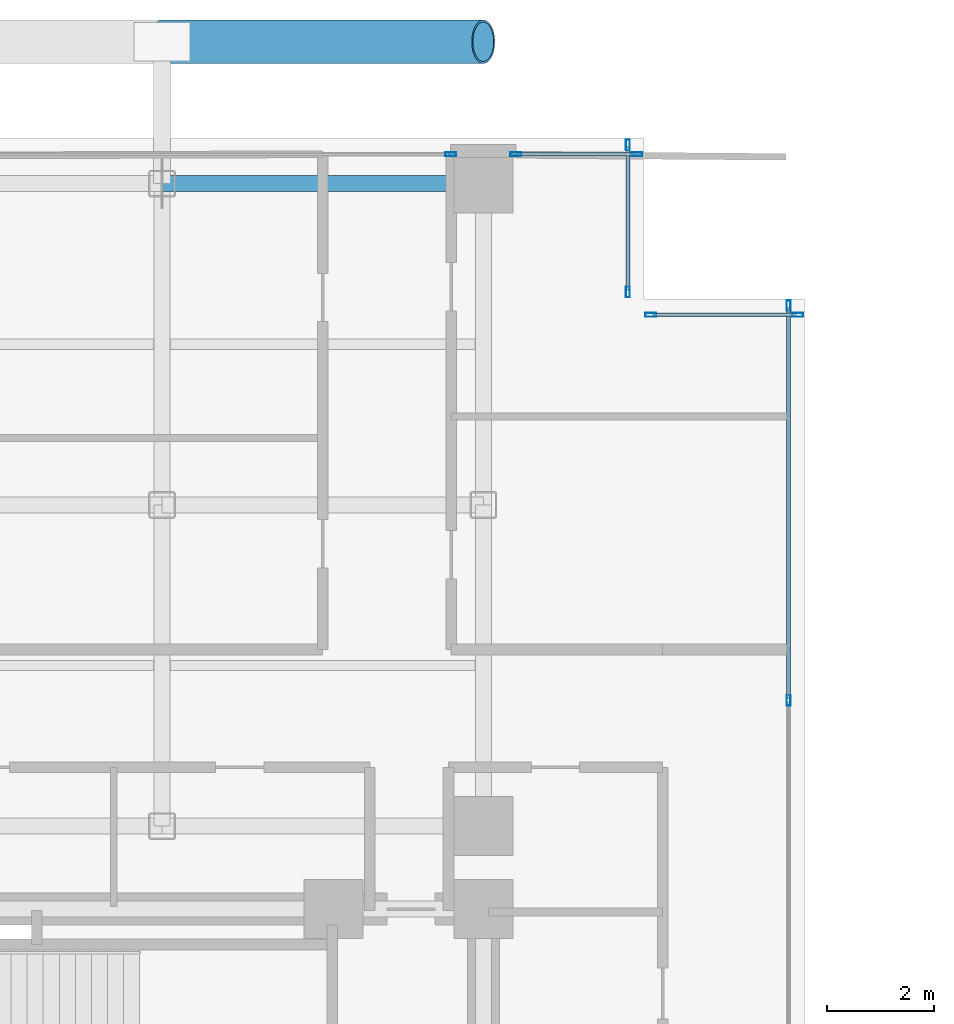
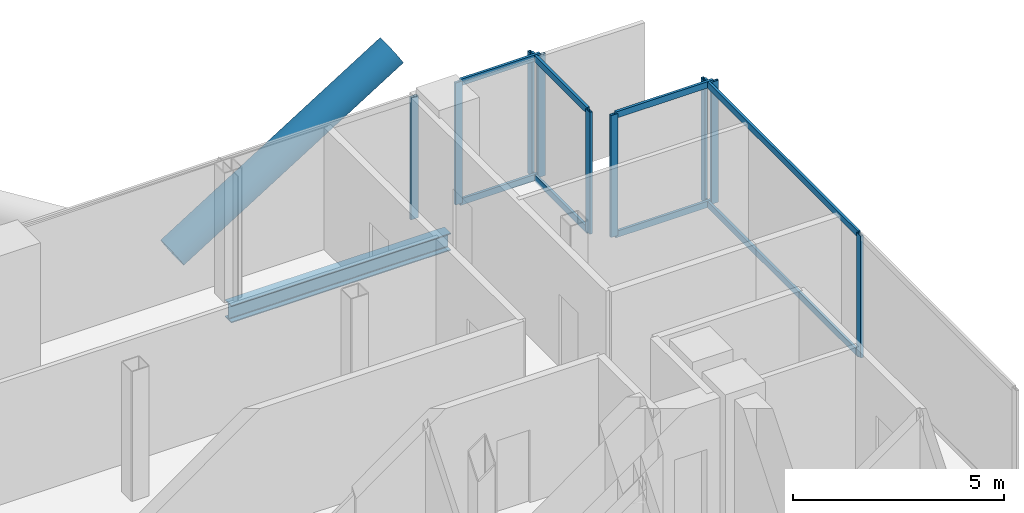
# One storey, part 17 of 28: 18 members, 1 beam, 5 elements without a shape of their own.
"""IFC4 building model written with IfcOpenShell, lengths in metres."""

from ifc_helpers import new_model, si_unit, direction, frame, origin, origin_2d, place, context, subcontext, project, spatial, hollow_rectangle, hollow_circle, i_section, extrude, material, layer, layer_set, material_profile, profile_set, type_object, element, aggregate, save


model = new_model("IFC4")

# Units and contexts
model_context = context("Model", 3, precision=1e-05, world=origin(), true_north=direction((0.0, 1.0)))
body_context = subcontext(model_context, "Body", "Model", "MODEL_VIEW")
ifc_project = project(units=[si_unit("LENGTHUNIT", "METRE"), si_unit("AREAUNIT", "SQUARE_METRE"), si_unit("VOLUMEUNIT", "CUBIC_METRE"), si_unit("PLANEANGLEUNIT", "RADIAN"), si_unit("MASSUNIT", "GRAM", prefix="KILO"), si_unit("THERMODYNAMICTEMPERATUREUNIT", "KELVIN"), si_unit("POWERUNIT", "WATT")], contexts=[model_context])

# Site, building, storey
site_placement = place(None, origin())
site = spatial("IfcSite", under=ifc_project, at=site_placement, CompositionType="ELEMENT")
building_placement = place(site_placement, origin())
building = spatial("IfcBuilding", under=site, at=building_placement, Name="Svarakhadi Broadcast Tower", CompositionType="ELEMENT")
storey_placement = place(building_placement, frame((0.0, 0.0, 153.14990234375)))
storey = spatial("IfcBuildingStorey", under=building, at=storey_placement, Name="L37", CompositionType="ELEMENT", Elevation=153.14990234375)

# Curtain wall, member
ifc_material_1 = material(Name="Anodised Bronze Aluminium AA 6063-T6", Category="aluminium")
ifc_layer = layer(ifc_material_1, 0.199951171875)
ifc_layer_set = layer_set([ifc_layer], Name="Anodised Bronze Aluminium AA 6063-T6")
curtain_wall_type = type_object("IfcCurtainWallType", Name="CW_Sys_03", PredefinedType="NOTDEFINED", material=ifc_layer_set)
curtain_wall_1_placement = place(storey_placement, origin())
curtain_wall_1 = element("IfcCurtainWall", 1, at=curtain_wall_1_placement, inside=storey, type_object=curtain_wall_type, Name="L37 Unitised Facade Curtain Wall 06 Bay 2", PredefinedType="NOTDEFINED")
ifc_material_profile_1 = material_profile(ifc_material_1, hollow_rectangle(XDim=0.074951171875, YDim=0.199951171875, WallThickness=0.005615234375, at=origin_2d()), Name="ALU MULLION 200x75x6")
ifc_profile_set_1 = profile_set([ifc_material_profile_1], Name="Anodised Bronze Aluminium AA 6063-T6")
member_type_1 = type_object("IfcMemberType", Name="CW_Sys_03_Mul", PredefinedType="MULLION", material=ifc_profile_set_1)
member_1_placement = place(storey_placement, frame((17.392578125, 41.699951171875, 0.0), z_axis=(0.0, 0.0, 1.0), x_axis=(0.0, 1.0, 0.0)))
member_1 = element("IfcMember", 2, at=member_1_placement, type_object=member_type_1, Name="CW-03 mullion 2", PredefinedType="MULLION", context=body_context, shape_type="SweptSolid", body=[
    extrude(hollow_rectangle(XDim=0.074951171875, YDim=0.199951171875, WallThickness=0.005615234375, at=origin_2d()), origin(), (0.0, 0.0, 1.0), 3.525146484375),
])
aggregate(curtain_wall_1, [member_1])

# Curtain wall, members
curtain_wall_2_placement = place(storey_placement, origin())
curtain_wall_2 = element("IfcCurtainWall", 3, at=curtain_wall_2_placement, inside=storey, type_object=curtain_wall_type, Name="L37 Unitised Facade Curtain Wall 06 Bay 3", PredefinedType="NOTDEFINED")
member_2_placement = place(storey_placement, frame((18.607421875, 41.699951171875, 0.0), z_axis=(0.0, 0.0, 1.0), x_axis=(0.0, 1.0, 0.0)))
member_2 = element("IfcMember", 4, at=member_2_placement, type_object=member_type_1, Name="CW-03 mullion 1", PredefinedType="MULLION", context=body_context, shape_type="SweptSolid", body=[
    extrude(hollow_rectangle(XDim=0.074951171875, YDim=0.199951171875, WallThickness=0.005615234375, at=origin_2d()), origin(), (0.0, 0.0, 1.0), 3.525146484375),
])
member_3_placement = place(storey_placement, frame((20.87255859375, 41.699951171875, 0.0), z_axis=(0.0, 0.0, 1.0), x_axis=(0.0, 1.0, 0.0)))
member_3 = element("IfcMember", 5, at=member_3_placement, type_object=member_type_1, Name="CW-03 mullion 2", PredefinedType="MULLION", context=body_context, shape_type="SweptSolid", body=[
    extrude(hollow_rectangle(XDim=0.074951171875, YDim=0.199951171875, WallThickness=0.005615234375, at=origin_2d()), origin(), (0.0, 0.0, 1.0), 3.525146484375),
])

curtain_wall_3_placement = place(storey_placement, origin())
curtain_wall_3 = element("IfcCurtainWall", 6, at=curtain_wall_3_placement, inside=storey, type_object=curtain_wall_type, Name="L37 Unitised Facade Curtain Wall 07", PredefinedType="NOTDEFINED")
member_4_placement = place(storey_placement, frame((20.699951171875, 41.87255859375, 0.0), z_axis=(0.0, 0.0, 1.0), x_axis=(1.0, 0.0, 0.0)))
member_4 = element("IfcMember", 7, at=member_4_placement, type_object=member_type_1, Name="CW-03 mullion 1", PredefinedType="MULLION", context=body_context, shape_type="SweptSolid", body=[
    extrude(hollow_rectangle(XDim=0.074951171875, YDim=0.199951171875, WallThickness=0.005615234375, at=origin_2d()), origin(), (0.0, 0.0, 1.0), 3.525146484375),
])
member_5_placement = place(storey_placement, frame((20.699951171875, 39.12744140625, 0.0), z_axis=(0.0, 0.0, 1.0), x_axis=(1.0, 0.0, 0.0)))
member_5 = element("IfcMember", 8, at=member_5_placement, type_object=member_type_1, Name="CW-03 mullion 2", PredefinedType="MULLION", context=body_context, shape_type="SweptSolid", body=[
    extrude(hollow_rectangle(XDim=0.074951171875, YDim=0.199951171875, WallThickness=0.005615234375, at=origin_2d()), origin(), (0.0, 0.0, 1.0), 3.525146484375),
])

curtain_wall_4_placement = place(storey_placement, origin())
curtain_wall_4 = element("IfcCurtainWall", 9, at=curtain_wall_4_placement, inside=storey, type_object=curtain_wall_type, Name="L37 Unitised Facade Curtain Wall 08", PredefinedType="NOTDEFINED")
member_6_placement = place(storey_placement, frame((21.12744140625, 38.699951171875, 0.0), z_axis=(0.0, 0.0, 1.0), x_axis=(0.0, 1.0, 0.0)))
member_6 = element("IfcMember", 10, at=member_6_placement, type_object=member_type_1, Name="CW-03 mullion 1", PredefinedType="MULLION", context=body_context, shape_type="SweptSolid", body=[
    extrude(hollow_rectangle(XDim=0.074951171875, YDim=0.199951171875, WallThickness=0.005615234375, at=origin_2d()), origin(), (0.0, 0.0, 1.0), 3.525146484375),
])
member_7_placement = place(storey_placement, frame((23.87255859375, 38.699951171875, 0.0), z_axis=(0.0, 0.0, 1.0), x_axis=(0.0, 1.0, 0.0)))
member_7 = element("IfcMember", 11, at=member_7_placement, type_object=member_type_1, Name="CW-03 mullion 2", PredefinedType="MULLION", context=body_context, shape_type="SweptSolid", body=[
    extrude(hollow_rectangle(XDim=0.074951171875, YDim=0.199951171875, WallThickness=0.005615234375, at=origin_2d()), origin(), (0.0, 0.0, 1.0), 3.525146484375),
])

curtain_wall_5_placement = place(storey_placement, origin())
curtain_wall_5 = element("IfcCurtainWall", 12, at=curtain_wall_5_placement, inside=storey, type_object=curtain_wall_type, Name="L37 Unitised Facade Curtain Wall 09", PredefinedType="NOTDEFINED")
member_8_placement = place(storey_placement, frame((23.699951171875, 38.87255859375, 0.0), z_axis=(0.0, 0.0, 1.0), x_axis=(1.0, 0.0, 0.0)))
member_8 = element("IfcMember", 13, at=member_8_placement, type_object=member_type_1, Name="CW-03 mullion 1", PredefinedType="MULLION", context=body_context, shape_type="SweptSolid", body=[
    extrude(hollow_rectangle(XDim=0.074951171875, YDim=0.199951171875, WallThickness=0.005615234375, at=origin_2d()), origin(), (0.0, 0.0, 1.0), 3.525146484375),
])
member_9_placement = place(storey_placement, frame((23.699951171875, 31.5, 0.0), z_axis=(0.0, 0.0, 1.0), x_axis=(1.0, 0.0, 0.0)))
member_9 = element("IfcMember", 14, at=member_9_placement, type_object=member_type_1, Name="CW-03 mullion 2", PredefinedType="MULLION", context=body_context, shape_type="SweptSolid", body=[
    extrude(hollow_rectangle(XDim=0.074951171875, YDim=0.199951171875, WallThickness=0.005615234375, at=origin_2d()), origin(), (0.0, 0.0, 1.0), 3.525146484375),
])

# Member
ifc_material_profile_2 = material_profile(ifc_material_1, hollow_rectangle(XDim=0.070068359375, YDim=0.18505859375, WallThickness=0.0048828125, at=origin_2d()), Name="ALU TRANSOM 185x70x5")
ifc_profile_set_2 = profile_set([ifc_material_profile_2], Name="Anodised Bronze Aluminium AA 6063-T6")
member_type_2 = type_object("IfcMemberType", Name="CW_Sys_03_Trn", PredefinedType="USERDEFINED", material=ifc_profile_set_2)
member_10_placement = place(storey_placement, frame((18.64501953125, 41.699951171875, 0.03515625), z_axis=(1.0, 0.0, 0.0), x_axis=(0.0, 1.0, 0.0)))
member_10 = element("IfcMember", 15, at=member_10_placement, type_object=member_type_2, Name="CW-03 transom 1.1", ObjectType="TRANSOM", PredefinedType="USERDEFINED", context=body_context, shape_type="SweptSolid", body=[
    extrude(hollow_rectangle(XDim=0.070068359375, YDim=0.18505859375, WallThickness=0.0048828125, at=origin_2d()), origin(), (0.0, 0.0, 1.0), 2.18994140625),
])

member_11_placement = place(storey_placement, frame((18.64501953125, 41.699951171875, 3.489990234375), z_axis=(1.0, 0.0, 0.0), x_axis=(0.0, 1.0, 0.0)))
member_11 = element("IfcMember", 16, at=member_11_placement, type_object=member_type_2, Name="CW-03 transom 1.2", ObjectType="TRANSOM", PredefinedType="USERDEFINED", context=body_context, shape_type="SweptSolid", body=[
    extrude(hollow_rectangle(XDim=0.070068359375, YDim=0.18505859375, WallThickness=0.0048828125, at=origin_2d()), origin(), (0.0, 0.0, 1.0), 2.18994140625),
])

aggregate(curtain_wall_2, [member_2, member_3, member_10, member_11])

member_12_placement = place(storey_placement, frame((20.699951171875, 41.8349609375, 0.03515625), z_axis=(0.0, -1.0, 0.0), x_axis=(1.0, 0.0, 0.0)))
member_12 = element("IfcMember", 17, at=member_12_placement, type_object=member_type_2, Name="CW-03 transom 1.1", ObjectType="TRANSOM", PredefinedType="USERDEFINED", context=body_context, shape_type="SweptSolid", body=[
    extrude(hollow_rectangle(XDim=0.070068359375, YDim=0.18505859375, WallThickness=0.0048828125, at=origin_2d()), origin(), (0.0, 0.0, 1.0), 2.669921875),
])

member_13_placement = place(storey_placement, frame((20.699951171875, 41.8349609375, 3.489990234375), z_axis=(0.0, -1.0, 0.0), x_axis=(1.0, 0.0, 0.0)))
member_13 = element("IfcMember", 18, at=member_13_placement, type_object=member_type_2, Name="CW-03 transom 1.2", ObjectType="TRANSOM", PredefinedType="USERDEFINED", context=body_context, shape_type="SweptSolid", body=[
    extrude(hollow_rectangle(XDim=0.070068359375, YDim=0.18505859375, WallThickness=0.0048828125, at=origin_2d()), origin(), (0.0, 0.0, 1.0), 2.669921875),
])

aggregate(curtain_wall_3, [member_4, member_5, member_12, member_13])

member_14_placement = place(storey_placement, frame((21.1650390625, 38.699951171875, 0.03515625), z_axis=(1.0, 0.0, 0.0), x_axis=(0.0, 1.0, 0.0)))
member_14 = element("IfcMember", 19, at=member_14_placement, type_object=member_type_2, Name="CW-03 transom 1.1", ObjectType="TRANSOM", PredefinedType="USERDEFINED", context=body_context, shape_type="SweptSolid", body=[
    extrude(hollow_rectangle(XDim=0.070068359375, YDim=0.18505859375, WallThickness=0.0048828125, at=origin_2d()), origin(), (0.0, 0.0, 1.0), 2.669921875),
])

member_15_placement = place(storey_placement, frame((21.1650390625, 38.699951171875, 3.489990234375), z_axis=(1.0, 0.0, 0.0), x_axis=(0.0, 1.0, 0.0)))
member_15 = element("IfcMember", 20, at=member_15_placement, type_object=member_type_2, Name="CW-03 transom 1.2", ObjectType="TRANSOM", PredefinedType="USERDEFINED", context=body_context, shape_type="SweptSolid", body=[
    extrude(hollow_rectangle(XDim=0.070068359375, YDim=0.18505859375, WallThickness=0.0048828125, at=origin_2d()), origin(), (0.0, 0.0, 1.0), 2.669921875),
])

aggregate(curtain_wall_4, [member_6, member_7, member_14, member_15])

member_16_placement = place(storey_placement, frame((23.699951171875, 38.8349609375, 0.03515625), z_axis=(0.0, -1.0, 0.0), x_axis=(1.0, 0.0, 0.0)))
member_16 = element("IfcMember", 21, at=member_16_placement, type_object=member_type_2, Name="CW-03 transom 1.1", ObjectType="TRANSOM", PredefinedType="USERDEFINED", context=body_context, shape_type="SweptSolid", body=[
    extrude(hollow_rectangle(XDim=0.070068359375, YDim=0.18505859375, WallThickness=0.0048828125, at=origin_2d()), origin(), (0.0, 0.0, 1.0), 7.29736328125),
])

member_17_placement = place(storey_placement, frame((23.699951171875, 38.8349609375, 3.489990234375), z_axis=(0.0, -1.0, 0.0), x_axis=(1.0, 0.0, 0.0)))
member_17 = element("IfcMember", 22, at=member_17_placement, type_object=member_type_2, Name="CW-03 transom 1.2", ObjectType="TRANSOM", PredefinedType="USERDEFINED", context=body_context, shape_type="SweptSolid", body=[
    extrude(hollow_rectangle(XDim=0.070068359375, YDim=0.18505859375, WallThickness=0.0048828125, at=origin_2d()), origin(), (0.0, 0.0, 1.0), 7.29736328125),
])

aggregate(curtain_wall_5, [member_8, member_9, member_16, member_17])

ifc_material_2 = material(Name="Steel S460ML (IS 2062 E450BR)", Category="steel")
ifc_material_profile_3 = material_profile(ifc_material_2, hollow_circle(Radius=0.406494140625, WallThickness=0.0400390625, at=origin_2d()), Name="CHS 813x40")
ifc_profile_set_3 = profile_set([ifc_material_profile_3], Name="Steel S460ML (IS 2062 E450BR)")
member_type_3 = type_object("IfcMemberType", Name="Exo_Brace_CHS813", PredefinedType="BRACE", material=ifc_profile_set_3)
member_18_placement = place(storey_placement, frame((12.0, 43.800048828125, -0.386962890625), z_axis=(0.847998304005, 0.0, 0.529998940003), x_axis=(0.0, 1.0, 0.0)))
element("IfcMember", 23, at=member_18_placement, inside=storey, type_object=member_type_3, Name="L37 Exposed Bronze Exoskeleton Diagonal N11", PredefinedType="BRACE", context=body_context, shape_type="SweptSolid", body=[
    extrude(hollow_circle(Radius=0.406494140625, WallThickness=0.0400390625, at=origin_2d()), origin(), (0.0, 0.0, 1.0), 7.075439453125),
])

# Beam
ifc_material_3 = material(Name="Steel S355J2 (IS 2062 E350C)", Category="steel")
ifc_material_profile_4 = material_profile(ifc_material_3, i_section(OverallWidth=0.300048828125, OverallDepth=0.5, WebThickness=0.014404296875, FlangeThickness=0.028076171875, FilletRadius=0.027099609375, at=origin_2d()), Name="WPB 500x300x187")
ifc_profile_set_4 = profile_set([ifc_material_profile_4], Name="Steel S355J2 (IS 2062 E350C)")
beam_type = type_object("IfcBeamType", Name="Girder_WPB500", PredefinedType="USERDEFINED", material=ifc_profile_set_4)
beam_placement = place(storey_placement, frame((12.0, 41.14990234375, -0.474853515625), z_axis=(1.0, 0.0, 0.0), x_axis=(0.0, 1.0, 0.0)))
element("IfcBeam", 24, at=beam_placement, inside=storey, type_object=beam_type, Name="L37 Primary E-W Girder G039", ObjectType="GIRDER", PredefinedType="USERDEFINED", context=body_context, shape_type="SweptSolid", body=[
    extrude(i_section(OverallWidth=0.300048828125, OverallDepth=0.5, WebThickness=0.014404296875, FlangeThickness=0.028076171875, FilletRadius=0.027099609375, at=origin_2d()), origin(), (0.0, 0.0, 1.0), 6.0),
])

save(model, "model.ifc")
